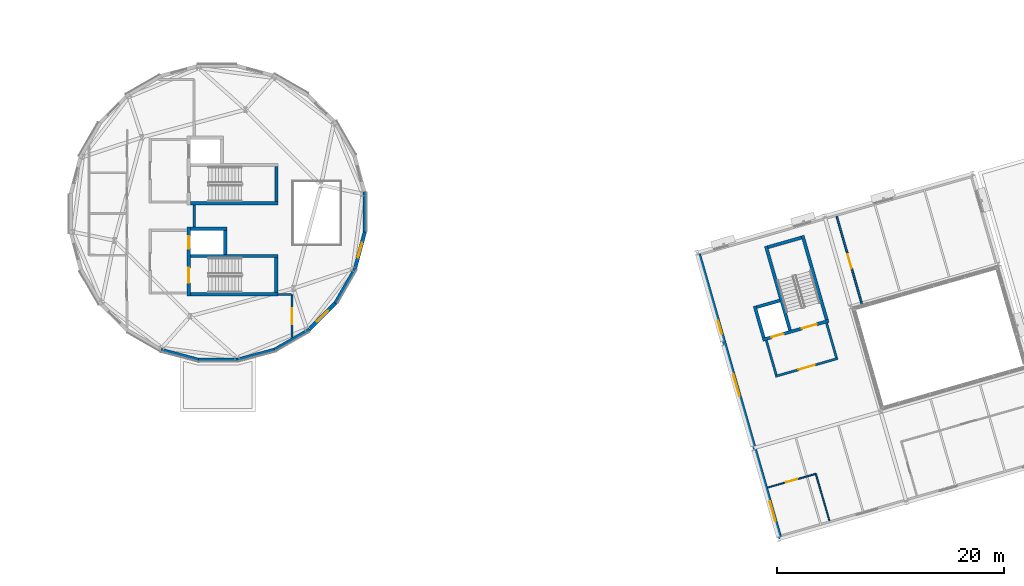
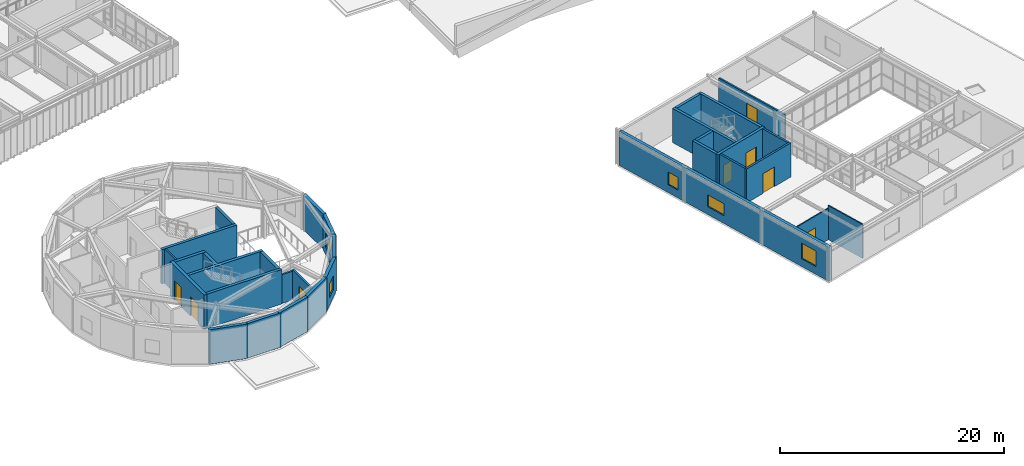
# One storey, part 28 of 44: 32 walls, 8 doors, 5 windows, 13 openings.
"""IFC4 building model written with IfcOpenShell, lengths in metres."""

from ifc_helpers import new_model, si_unit, direction, frame, frame_2d, origin, place, context, subcontext, project, spatial, rectangle, extrude, material, layer, layer_set, type_object, element, fill, save


model = new_model("IFC4")

# Units and contexts
model_context = context("Model", 3, precision=1e-05, world=origin(), true_north=direction((0.0, 1.0)))
body_context = subcontext(model_context, "Body", "Model", "MODEL_VIEW")
ifc_project = project(units=[si_unit("LENGTHUNIT", "METRE"), si_unit("AREAUNIT", "SQUARE_METRE"), si_unit("VOLUMEUNIT", "CUBIC_METRE"), si_unit("PLANEANGLEUNIT", "RADIAN"), si_unit("MASSUNIT", "GRAM", prefix="KILO")], contexts=[model_context])

# Site, building, storey
site_placement = place(None, origin())
site = spatial("IfcSite", under=ifc_project, at=site_placement, CompositionType="ELEMENT")
building_placement = place(site_placement, origin())
building = spatial("IfcBuilding", under=site, at=building_placement, Name="Varnklinge Art Gallery", CompositionType="ELEMENT")
storey_placement = place(building_placement, frame((0.0, 0.0, 13.679931640625)))
storey = spatial("IfcBuildingStorey", under=building, at=storey_placement, Name="L03", CompositionType="ELEMENT", Elevation=13.679931640625)

# Wall
ifc_material_1 = material(Name="Precast concrete C40/50", Category="concrete")
ifc_layer_1 = layer(ifc_material_1, 0.320068359375)
ifc_layer_set_1 = layer_set([ifc_layer_1], Name="Precast concrete C40/50")
wall_type_1 = type_object("IfcWallType", Name="EW-32", PredefinedType="SOLIDWALL", material=ifc_layer_set_1)
wall_1_placement = place(storey_placement, frame((88.427001953125, 40.36181640625, 0.0), z_axis=(0.0, 0.0, 1.0), x_axis=(0.0, -1.0, 0.0)))
element("IfcWall", 1, at=wall_1_placement, inside=storey, type_object=wall_type_1, Name="L03 Exterior Wall EW-V4D-L03-01", PredefinedType="SOLIDWALL", context=body_context, shape_type="SweptSolid", body=[
    extrude(rectangle(XDim=3.563720703125, YDim=0.320068359375, at=frame_2d((1.78173828125, 0.0))), origin(), (0.0, 0.0, 1.0), 3.760009765625),
])

# Wall, opening, window
wall_2_placement = place(storey_placement, frame((88.468505859375, 36.95263671875, 0.0), z_axis=(0.0, 0.0, 1.0), x_axis=(-0.258830827966, -0.965922669003, 0.0)))
wall_2 = element("IfcWall", 2, at=wall_2_placement, inside=storey, type_object=wall_type_1, Name="L03 Exterior Wall EW-V4D-L03-02", PredefinedType="SOLIDWALL", context=body_context, shape_type="SweptSolid", body=[
    extrude(rectangle(XDim=3.5634765625, YDim=0.320068359375, at=frame_2d((1.78173828125, 0.0))), origin(), (0.0, 0.0, 1.0), 3.760009765625),
])
opening_1_placement = place(wall_2_placement, frame((1.10693359375, 0.0, 0.85009765625)))
opening_1 = element("IfcOpeningElement", 3, at=opening_1_placement, cuts=wall_2, Name="Opening WN-02", PredefinedType="OPENING", context=body_context, shape_type="SweptSolid", body=[
    extrude(rectangle(XDim=1.35009765625, YDim=1.5, at=frame_2d((0.675048828125, 0.75))), frame((0.0, 0.170166015625, 0.0), z_axis=(0.0, -1.0, 0.0), x_axis=(1.0, 0.0, 0.0)), (0.0, 0.0, 1.0), 0.340087890625),
])
ifc_material_2 = material(Name="Insulated Low-E Triple Glazing", Category="glass")
window_type_1 = type_object("IfcWindowType", Name="WN-02", PartitioningType="SINGLE_PANEL", PredefinedType="WINDOW", material=ifc_material_2)
window_1_placement = place(opening_1_placement, origin())
window_1 = element("IfcWindow", 4, at=window_1_placement, inside=storey, type_object=window_type_1, Name="L03 Window WIN-L03-096", OverallHeight=1.5, OverallWidth=1.35009765625, PartitioningType="SINGLE_PANEL", PredefinedType="WINDOW", context=body_context, shape_type="SweptSolid", body=[
    extrude(rectangle(XDim=1.35009765625, YDim=1.5, at=frame_2d((0.675048828125, 0.75))), frame((0.0, 0.030029296875, 0.0), z_axis=(0.0, -1.0, 0.0), x_axis=(1.0, 0.0, 0.0)), (0.0, 0.0, 1.0), 0.06005859375),
])
fill(opening_1, window_1)

# Wall
wall_3_placement = place(storey_placement, frame((87.626220703125, 33.64892578125, 0.0), z_axis=(0.0, 0.0, 1.0), x_axis=(-0.500007084799, -0.866021313335, 0.0)))
element("IfcWall", 5, at=wall_3_placement, inside=storey, type_object=wall_type_1, Name="L03 Exterior Wall EW-V4D-L03-03", PredefinedType="SOLIDWALL", context=body_context, shape_type="SweptSolid", body=[
    extrude(rectangle(XDim=3.56396484375, YDim=0.320068359375, at=frame_2d((1.781982421875, 0.0))), origin(), (0.0, 0.0, 1.0), 3.760009765625),
])

# Wall, opening, window
wall_4_placement = place(storey_placement, frame((85.95751953125, 30.675537109375, 0.0), z_axis=(0.0, 0.0, 1.0), x_axis=(-0.707141034428, -0.707072526286, 0.0)))
wall_4 = element("IfcWall", 6, at=wall_4_placement, inside=storey, type_object=wall_type_1, Name="L03 Exterior Wall EW-V4D-L03-04", PredefinedType="SOLIDWALL", context=body_context, shape_type="SweptSolid", body=[
    extrude(rectangle(XDim=3.563720703125, YDim=0.320068359375, at=frame_2d((1.78173828125, 0.0))), origin(), (0.0, 0.0, 1.0), 3.760009765625),
])
opening_2_placement = place(wall_4_placement, frame((1.106689453125, 0.0, 0.85009765625)))
opening_2 = element("IfcOpeningElement", 7, at=opening_2_placement, cuts=wall_4, Name="Opening WN-02", PredefinedType="OPENING", context=body_context, shape_type="SweptSolid", body=[
    extrude(rectangle(XDim=1.35009765625, YDim=1.5, at=frame_2d((0.675048828125, 0.75))), frame((0.0, 0.170166015625, 0.0), z_axis=(0.0, -1.0, 0.0), x_axis=(1.0, 0.0, 0.0)), (0.0, 0.0, 1.0), 0.340087890625),
])
window_2_placement = place(opening_2_placement, origin())
window_2 = element("IfcWindow", 8, at=window_2_placement, inside=storey, type_object=window_type_1, Name="L03 Window WIN-L03-097", OverallHeight=1.5, OverallWidth=1.35009765625, PartitioningType="SINGLE_PANEL", PredefinedType="WINDOW", context=body_context, shape_type="SweptSolid", body=[
    extrude(rectangle(XDim=1.35009765625, YDim=1.5, at=frame_2d((0.675048828125, 0.75))), frame((0.0, 0.030029296875, 0.0), z_axis=(0.0, -1.0, 0.0), x_axis=(1.0, 0.0, 0.0)), (0.0, 0.0, 1.0), 0.06005859375),
])
fill(opening_2, window_2)

# Walls
wall_5_placement = place(storey_placement, frame((83.576171875, 28.235595703125, 0.0), z_axis=(0.0, 0.0, 1.0), x_axis=(-0.8660680979, -0.499926044331, 0.0)))
element("IfcWall", 9, at=wall_5_placement, inside=storey, type_object=wall_type_1, Name="L03 Exterior Wall EW-V4D-L03-05", PredefinedType="SOLIDWALL", context=body_context, shape_type="SweptSolid", body=[
    extrude(rectangle(XDim=3.56396484375, YDim=0.320068359375, at=frame_2d((1.781982421875, 0.0))), origin(), (0.0, 0.0, 1.0), 3.760009765625),
])
wall_6_placement = place(storey_placement, frame((80.64404296875, 26.495361328125, 0.0), z_axis=(0.0, 0.0, 1.0), x_axis=(-0.965922669003, -0.258830827966, 0.0)))
element("IfcWall", 10, at=wall_6_placement, inside=storey, type_object=wall_type_1, Name="L03 Exterior Wall EW-V4D-L03-06", PredefinedType="SOLIDWALL", context=body_context, shape_type="SweptSolid", body=[
    extrude(rectangle(XDim=3.5634765625, YDim=0.320068359375, at=frame_2d((1.78173828125, 0.0))), origin(), (0.0, 0.0, 1.0), 3.760009765625),
])
wall_7_placement = place(storey_placement, frame((77.36181640625, 25.572998046875, 0.0), z_axis=(0.0, 0.0, 1.0), x_axis=(-1.0, 0.0, 0.0)))
element("IfcWall", 11, at=wall_7_placement, inside=storey, type_object=wall_type_1, Name="L03 Exterior Wall EW-V4D-L03-07", PredefinedType="SOLIDWALL", context=body_context, shape_type="SweptSolid", body=[
    extrude(rectangle(XDim=3.563720703125, YDim=0.320068359375, at=frame_2d((1.78173828125, 0.0))), origin(), (0.0, 0.0, 1.0), 3.760009765625),
])
wall_8_placement = place(storey_placement, frame((73.95263671875, 25.531494140625, 0.0), z_axis=(0.0, 0.0, 1.0), x_axis=(-0.965922669003, 0.258830827966, 0.0)))
element("IfcWall", 12, at=wall_8_placement, inside=storey, type_object=wall_type_1, Name="L03 Exterior Wall EW-V4D-L03-08", PredefinedType="SOLIDWALL", context=body_context, shape_type="SweptSolid", body=[
    extrude(rectangle(XDim=3.5634765625, YDim=0.320068359375, at=frame_2d((1.78173828125, 0.0))), origin(), (0.0, 0.0, 1.0), 3.760009765625),
])

# Wall, openings, windows
wall_9_placement = place(storey_placement, frame((124.981201171875, 9.852294921875, 0.0), z_axis=(0.0, 0.0, 1.0), x_axis=(-0.275633622707, 0.961262766383, 0.0)))
wall_9 = element("IfcWall", 13, at=wall_9_placement, inside=storey, type_object=wall_type_1, Name="L03 Exterior Wall EW-V6-L03-01", PredefinedType="SOLIDWALL", context=body_context, shape_type="SweptSolid", body=[
    extrude(rectangle(XDim=26.0400390625, YDim=0.320068359375, at=frame_2d((13.02001953125, 0.0))), origin(), (0.0, 0.0, 1.0), 3.719970703125),
])
opening_3_placement = place(wall_9_placement, frame((1.60009765625, 0.0, 0.85009765625)))
opening_3 = element("IfcOpeningElement", 14, at=opening_3_placement, cuts=wall_9, Name="Opening WN-11", PredefinedType="OPENING", context=body_context, shape_type="SweptSolid", body=[
    extrude(rectangle(XDim=1.800048828125, YDim=1.699951171875, at=frame_2d((0.89990234375, 0.85009765625))), frame((0.0, 0.170166015625, 0.0), z_axis=(0.0, -1.0, 0.0), x_axis=(1.0, 0.0, 0.0)), (0.0, 0.0, 1.0), 0.340087890625),
])
opening_4_placement = place(wall_9_placement, frame((13.02001953125, 0.0, 0.85009765625)))
opening_4 = element("IfcOpeningElement", 15, at=opening_4_placement, cuts=wall_9, Name="Opening WN-18", PredefinedType="OPENING", context=body_context, shape_type="SweptSolid", body=[
    extrude(rectangle(XDim=2.0, YDim=1.300048828125, at=frame_2d((1.0, 0.64990234375))), frame((0.0, 0.170166015625, 0.0), z_axis=(0.0, -1.0, 0.0), x_axis=(1.0, 0.0, 0.0)), (0.0, 0.0, 1.0), 0.340087890625),
])
opening_5_placement = place(wall_9_placement, frame((18.72998046875, 0.0, 0.85009765625)))
opening_5 = element("IfcOpeningElement", 16, at=opening_5_placement, cuts=wall_9, Name="Opening WN-21", PredefinedType="OPENING", context=body_context, shape_type="SweptSolid", body=[
    extrude(rectangle(XDim=1.199951171875, YDim=1.39990234375, at=frame_2d((0.60009765625, 0.699951171875))), frame((0.0, 0.170166015625, 0.0), z_axis=(0.0, -1.0, 0.0), x_axis=(1.0, 0.0, 0.0)), (0.0, 0.0, 1.0), 0.340087890625),
])
ifc_material_3 = material(Name="Insulated Low-E Triple Glazing", Category="glass")
window_type_2 = type_object("IfcWindowType", Name="WN-11", PartitioningType="SINGLE_PANEL", PredefinedType="WINDOW", material=ifc_material_3)
window_3_placement = place(opening_3_placement, origin())
window_3 = element("IfcWindow", 17, at=window_3_placement, inside=storey, type_object=window_type_2, Name="L03 Window WIN-L03-188", OverallHeight=1.699951171875, OverallWidth=1.800048828125, PartitioningType="SINGLE_PANEL", PredefinedType="WINDOW", context=body_context, shape_type="SweptSolid", body=[
    extrude(rectangle(XDim=1.800048828125, YDim=1.699951171875, at=frame_2d((0.89990234375, 0.85009765625))), frame((0.0, 0.030029296875, 0.0), z_axis=(0.0, -1.0, 0.0), x_axis=(1.0, 0.0, 0.0)), (0.0, 0.0, 1.0), 0.06005859375),
])
fill(opening_3, window_3)
ifc_material_4 = material(Name="Insulated Low-E Triple Glazing", Category="glass")
window_type_3 = type_object("IfcWindowType", Name="WN-18", PartitioningType="SINGLE_PANEL", PredefinedType="WINDOW", material=ifc_material_4)
window_4_placement = place(opening_4_placement, origin())
window_4 = element("IfcWindow", 18, at=window_4_placement, inside=storey, type_object=window_type_3, Name="L03 Window WIN-L03-189", OverallHeight=1.300048828125, OverallWidth=2.0, PartitioningType="SINGLE_PANEL", PredefinedType="WINDOW", context=body_context, shape_type="SweptSolid", body=[
    extrude(rectangle(XDim=2.0, YDim=1.300048828125, at=frame_2d((1.0, 0.64990234375))), frame((0.0, 0.030029296875, 0.0), z_axis=(0.0, -1.0, 0.0), x_axis=(1.0, 0.0, 0.0)), (0.0, 0.0, 1.0), 0.06005859375),
])
fill(opening_4, window_4)
ifc_material_5 = material(Name="Insulated Low-E Triple Glazing", Category="glass")
window_type_4 = type_object("IfcWindowType", Name="WN-21", PartitioningType="SINGLE_PANEL", PredefinedType="WINDOW", material=ifc_material_5)
window_5_placement = place(opening_5_placement, origin())
window_5 = element("IfcWindow", 19, at=window_5_placement, inside=storey, type_object=window_type_4, Name="L03 Window WIN-L03-190", OverallHeight=1.39990234375, OverallWidth=1.199951171875, PartitioningType="SINGLE_PANEL", PredefinedType="WINDOW", context=body_context, shape_type="SweptSolid", body=[
    extrude(rectangle(XDim=1.199951171875, YDim=1.39990234375, at=frame_2d((0.60009765625, 0.699951171875))), frame((0.0, 0.030029296875, 0.0), z_axis=(0.0, -1.0, 0.0), x_axis=(1.0, 0.0, 0.0)), (0.0, 0.0, 1.0), 0.06005859375),
])
fill(opening_5, window_5)

# Wall, opening, door
ifc_material_6 = material(Name="Gypsum Board Partition", Category="gypsum")
ifc_layer_2 = layer(ifc_material_6, 0.1201171875)
ifc_layer_set_2 = layer_set([ifc_layer_2], Name="Gypsum Board Partition")
wall_type_2 = type_object("IfcWallType", Name="IW-12", PredefinedType="PARTITIONING", material=ifc_layer_set_2)
wall_10_placement = place(storey_placement, frame((123.86279296875, 14.34814453125, 0.0), z_axis=(0.0, 0.0, 1.0), x_axis=(0.961808373757, 0.273723678498, 0.0)))
wall_10 = element("IfcWall", 20, at=wall_10_placement, inside=storey, type_object=wall_type_2, Name="L03 Partition Wall IW-L03-0346", PredefinedType="PARTITIONING", context=body_context, shape_type="SweptSolid", body=[
    extrude(rectangle(XDim=4.397216796875, YDim=0.1201171875, at=frame_2d((2.19873046875, 0.0))), origin(), (0.0, 0.0, 1.0), 3.400146484375),
])
opening_6_placement = place(wall_10_placement, frame((1.688720703125, 0.0, 0.0)))
opening_6 = element("IfcOpeningElement", 21, at=opening_6_placement, cuts=wall_10, Name="Opening D-L03-260", PredefinedType="OPENING", context=body_context, shape_type="SweptSolid", body=[
    extrude(rectangle(XDim=1.02001953125, YDim=2.1201171875, at=frame_2d((0.510009765625, 1.06005859375))), frame((0.0, 0.070068359375, 0.0), z_axis=(0.0, -1.0, 0.0), x_axis=(1.0, 0.0, 0.0)), (0.0, 0.0, 1.0), 0.14013671875),
])
ifc_material_7 = material(Name="Oak Timber Leaf", Category="wood")
door_type_1 = type_object("IfcDoorType", Name="ID-03", OperationType="SINGLE_SWING_LEFT", PredefinedType="DOOR", material=ifc_material_7)
door_1_placement = place(opening_6_placement, origin())
door_1 = element("IfcDoor", 22, at=door_1_placement, inside=storey, type_object=door_type_1, Name="L03 L03 Accessible WC Studios Door D-L03-260", OperationType="SINGLE_SWING_RIGHT", OverallHeight=2.1201171875, OverallWidth=1.02001953125, PredefinedType="DOOR", context=body_context, shape_type="SweptSolid", body=[
    extrude(rectangle(XDim=1.02001953125, YDim=2.1201171875, at=frame_2d((0.510009765625, 1.06005859375))), frame((0.0, 0.02490234375, 0.0), z_axis=(0.0, -1.0, 0.0), x_axis=(1.0, 0.0, 0.0)), (0.0, 0.0, 1.0), 0.050048828125),
])
fill(opening_6, door_1)

# Wall
wall_11_placement = place(storey_placement, frame((128.092041015625, 15.5517578125, 0.0), z_axis=(0.0, 0.0, 1.0), x_axis=(0.277586262632, -0.960700716559, 0.0)))
element("IfcWall", 23, at=wall_11_placement, inside=storey, type_object=wall_type_2, Name="L03 Partition Wall IW-L03-0347", PredefinedType="PARTITIONING", context=body_context, shape_type="SweptSolid", body=[
    extrude(rectangle(XDim=4.29736328125, YDim=0.1201171875, at=frame_2d((2.148681640625, 0.0))), origin(), (0.0, 0.0, 1.0), 3.7099609375),
])

# Wall, opening, door
ifc_material_8 = material(Name="Gypsum Board Partition", Category="gypsum")
ifc_layer_3 = layer(ifc_material_8, 0.159912109375)
ifc_layer_set_3 = layer_set([ifc_layer_3], Name="Gypsum Board Partition")
wall_type_3 = type_object("IfcWallType", Name="IW-16", PredefinedType="PARTITIONING", material=ifc_layer_set_3)
wall_12_placement = place(storey_placement, frame((129.931884765625, 38.190673828125, 0.0), z_axis=(0.0, 0.0, 1.0), x_axis=(0.27565391145, -0.961256948533, 0.0)))
wall_12 = element("IfcWall", 24, at=wall_12_placement, inside=storey, type_object=wall_type_3, Name="L03 Partition Wall IW-L03-0348", PredefinedType="PARTITIONING", context=body_context, shape_type="SweptSolid", body=[
    extrude(rectangle(XDim=8.22607421875, YDim=0.159912109375, at=frame_2d((4.113037109375, 0.0))), origin(), (0.0, 0.0, 1.0), 3.2099609375),
])
opening_7_placement = place(wall_12_placement, frame((3.462890625, 0.0, 0.0)))
opening_7 = element("IfcOpeningElement", 25, at=opening_7_placement, cuts=wall_12, Name="Opening D-L03-261", PredefinedType="OPENING", context=body_context, shape_type="SweptSolid", body=[
    extrude(rectangle(XDim=1.300048828125, YDim=2.14990234375, at=frame_2d((0.64990234375, 1.074951171875))), frame((0.0, 0.090087890625, 0.0), z_axis=(0.0, -1.0, 0.0), x_axis=(1.0, 0.0, 0.0)), (0.0, 0.0, 1.0), 0.179931640625),
])
ifc_material_9 = material(Name="Oak Timber Leaf", Category="wood")
door_type_2 = type_object("IfcDoorType", Name="ID-11", OperationType="SINGLE_SWING_LEFT", PredefinedType="DOOR", material=ifc_material_9)
door_2_placement = place(opening_7_placement, origin())
door_2 = element("IfcDoor", 26, at=door_2_placement, inside=storey, type_object=door_type_2, Name="L03 L03 Artists Studio 5 Door D-L03-261", OperationType="SINGLE_SWING_LEFT", OverallHeight=2.14990234375, OverallWidth=1.300048828125, PredefinedType="DOOR", context=body_context, shape_type="SweptSolid", body=[
    extrude(rectangle(XDim=1.300048828125, YDim=2.14990234375, at=frame_2d((0.64990234375, 1.074951171875))), frame((0.0, 0.02490234375, 0.0), z_axis=(0.0, -1.0, 0.0), x_axis=(1.0, 0.0, 0.0)), (0.0, 0.0, 1.0), 0.050048828125),
])
fill(opening_7, door_2)

# Wall
ifc_material_10 = material(Name="Gypsum Board Partition", Category="gypsum")
ifc_layer_4 = layer(ifc_material_10, 0.179931640625)
ifc_layer_set_4 = layer_set([ifc_layer_4], Name="Gypsum Board Partition")
wall_type_4 = type_object("IfcWallType", Name="IW-18", PredefinedType="PARTITIONING", material=ifc_layer_set_4)
wall_13_placement = place(storey_placement, frame((80.800048828125, 31.330078125, 0.0), z_axis=(0.0, 0.0, 1.0), x_axis=(1.0, 0.0, 0.0)))
element("IfcWall", 27, at=wall_13_placement, inside=storey, type_object=wall_type_4, Name="L03 Partition Wall IW-L03-0337", PredefinedType="PARTITIONING", context=body_context, shape_type="SweptSolid", body=[
    extrude(rectangle(XDim=1.199951171875, YDim=0.179931640625, at=frame_2d((0.60009765625, 0.0))), origin(), (0.0, 0.0, 1.0), 3.150146484375),
])

# Wall, opening, door
wall_14_placement = place(storey_placement, frame((82.02880859375, 31.30859375, 0.0), z_axis=(0.0, 0.0, 1.0), x_axis=(0.000323268878, -0.999999947749, 0.0)))
wall_14 = element("IfcWall", 28, at=wall_14_placement, inside=storey, type_object=wall_type_4, Name="L03 Partition Wall IW-L03-0338", PredefinedType="PARTITIONING", context=body_context, shape_type="SweptSolid", body=[
    extrude(rectangle(XDim=3.776123046875, YDim=0.179931640625, at=frame_2d((1.88818359375, 0.0))), origin(), (0.0, 0.0, 1.0), 3.300048828125),
])
opening_8_placement = place(wall_14_placement, frame((1.177978515625, 0.0, 0.0)))
opening_8 = element("IfcOpeningElement", 29, at=opening_8_placement, cuts=wall_14, Name="Opening D-L03-255", PredefinedType="OPENING", context=body_context, shape_type="SweptSolid", body=[
    extrude(rectangle(XDim=1.419921875, YDim=2.179931640625, at=frame_2d((0.7099609375, 1.08984375))), frame((0.0, 0.099853515625, 0.0), z_axis=(0.0, -1.0, 0.0), x_axis=(1.0, 0.0, 0.0)), (0.0, 0.0, 1.0), 0.199951171875),
])
ifc_material_11 = material(Name="Oak Timber Leaf", Category="wood")
door_type_3 = type_object("IfcDoorType", Name="ID-07", OperationType="DOUBLE_DOOR_SINGLE_SWING", PredefinedType="DOOR", material=ifc_material_11)
door_3_placement = place(opening_8_placement, origin())
door_3 = element("IfcDoor", 30, at=door_3_placement, inside=storey, type_object=door_type_3, Name="L03 L03 Drum Monograph Exhibition Gallery Door D-L03-255", OperationType="DOUBLE_DOOR_SINGLE_SWING", OverallHeight=2.179931640625, OverallWidth=1.419921875, PredefinedType="DOOR", context=body_context, shape_type="SweptSolid", body=[
    extrude(rectangle(XDim=1.419921875, YDim=2.179931640625, at=frame_2d((0.7099609375, 1.08984375))), frame((0.0, 0.02490234375, 0.0), z_axis=(0.0, -1.0, 0.0), x_axis=(1.0, 0.0, 0.0)), (0.0, 0.0, 1.0), 0.050048828125),
])
fill(opening_8, door_3)

# Walls
wall_15_placement = place(storey_placement, frame((73.429931640625, 39.2060546875, 0.0), z_axis=(0.0, 0.0, 1.0), x_axis=(0.0, -1.0, 0.0)))
element("IfcWall", 31, at=wall_15_placement, inside=storey, type_object=wall_type_4, Name="L03 Partition Wall IW-L03-0341", PredefinedType="PARTITIONING", context=body_context, shape_type="SweptSolid", body=[
    extrude(rectangle(XDim=1.942138671875, YDim=0.179931640625, at=frame_2d((0.97119140625, 0.0))), origin(), (0.0, 0.0, 1.0), 3.75),
])
ifc_material_12 = material(Name="Concrete C40/50", Category="concrete")
ifc_layer_5 = layer(ifc_material_12, 0.199951171875)
ifc_layer_set_5 = layer_set([ifc_layer_5], Name="Concrete C40/50")
wall_type_5 = type_object("IfcWallType", Name="IW-20", PredefinedType="PARTITIONING", material=ifc_layer_set_5)
for number, where, z_axis, x_axis, name in (
    (32, (129.902587890625, 25.767578125, 0.0), (0.0, 0.0, 1.0), (-0.275601331974, 0.961272024879, 0.0), "L03 Core C5 Lobby South Wall"),
    (33, (123.73779296875, 27.27685546875, 0.0), (0.0, 0.0, 1.0), (0.275672946026, -0.961251489897, 0.0), "L03 Core C5 Lobby North Wall"),
):
    element("IfcWall", number, at=place(storey_placement, frame(where, z_axis=z_axis, x_axis=x_axis)), inside=storey, type_object=wall_type_5, Name=name, PredefinedType="PARTITIONING", context=body_context, shape_type="SweptSolid", body=[
        extrude(rectangle(XDim=3.150146484375, YDim=0.199951171875, at=frame_2d((1.5751953125, 0.0))), origin(), (0.0, 0.0, 1.0), 3.719970703125),
    ])

# Wall, opening, door
wall_16_placement = place(storey_placement, frame((130.0263671875, 25.69921875, 0.0), z_axis=(0.0, 0.0, 1.0), x_axis=(-0.961257274888, -0.275652773383, 0.0)))
wall_16 = element("IfcWall", 34, at=wall_16_placement, inside=storey, type_object=wall_type_5, Name="L03 Core C5 Lobby Corridor Wall", PredefinedType="PARTITIONING", context=body_context, shape_type="SweptSolid", body=[
    extrude(rectangle(XDim=5.7099609375, YDim=0.199951171875, at=frame_2d((2.85498046875, 0.0))), origin(), (0.0, 0.0, 1.0), 3.719970703125),
])
opening_9_placement = place(wall_16_placement, frame((2.114990234375, 0.0, 0.0)))
opening_9 = element("IfcOpeningElement", 35, at=opening_9_placement, cuts=wall_16, Name="Opening D-L03-084", PredefinedType="OPENING", context=body_context, shape_type="SweptSolid", body=[
    extrude(rectangle(XDim=1.47998046875, YDim=2.14990234375, at=frame_2d((0.739990234375, 1.074951171875))), frame((0.0, 0.110107421875, 0.0), z_axis=(0.0, -1.0, 0.0), x_axis=(1.0, 0.0, 0.0)), (0.0, 0.0, 1.0), 0.219970703125),
])
ifc_material_13 = material(Name="Galvanised Fire-Rated Steel", Category="steel")
door_type_4 = type_object("IfcDoorType", Name="ID-LB1", OperationType="DOUBLE_DOOR_SINGLE_SWING", PredefinedType="DOOR", material=ifc_material_13)
door_4_placement = place(opening_9_placement, origin())
door_4 = element("IfcDoor", 36, at=door_4_placement, inside=storey, type_object=door_type_4, Name="L03 Core C5 Protected Lobby Door D-L03-084", OperationType="DOUBLE_DOOR_SINGLE_SWING", OverallHeight=2.14990234375, OverallWidth=1.47998046875, PredefinedType="DOOR", context=body_context, shape_type="SweptSolid", body=[
    extrude(rectangle(XDim=1.47998046875, YDim=2.14990234375, at=frame_2d((0.739990234375, 1.074951171875))), frame((0.0, 0.02490234375, 0.0), z_axis=(0.0, -1.0, 0.0), x_axis=(1.0, 0.0, 0.0)), (0.0, 0.0, 1.0), 0.050048828125),
])
fill(opening_9, door_4)

# Walls
ifc_material_14 = material(Name="Concrete C40/50", Category="concrete")
ifc_layer_6 = layer(ifc_material_14, 0.280029296875)
ifc_layer_set_6 = layer_set([ifc_layer_6], Name="Concrete C40/50")
wall_type_6 = type_object("IfcWallType", Name="SW-28", PredefinedType="SHEAR", material=ifc_layer_set_6)
wall_17_placement = place(storey_placement, frame((73.090087890625, 39.35009765625, 0.0), z_axis=(0.0, 0.0, 1.0), x_axis=(1.0, 0.0, 0.0)))
element("IfcWall", 37, at=wall_17_placement, inside=storey, type_object=wall_type_6, Name="L03 Core C2 South Shear Wall", PredefinedType="SHEAR", context=body_context, shape_type="SweptSolid", body=[
    extrude(rectangle(XDim=7.699951171875, YDim=0.280029296875, at=frame_2d((3.85009765625, 0.0))), origin(), (0.0, 0.0, 1.0), 3.760009765625),
])
wall_18_placement = place(storey_placement, frame((80.64990234375, 39.489990234375, 0.0), z_axis=(0.0, 0.0, 1.0), x_axis=(0.0, 1.0, 0.0)))
element("IfcWall", 38, at=wall_18_placement, inside=storey, type_object=wall_type_6, Name="L03 Core C2 East Shear Wall", PredefinedType="SHEAR", context=body_context, shape_type="SweptSolid", body=[
    extrude(rectangle(XDim=3.080078125, YDim=0.280029296875, at=frame_2d((1.5400390625, 0.0))), origin(), (0.0, 0.0, 1.0), 3.760009765625),
])
wall_19_placement = place(storey_placement, frame((129.050537109375, 29.10205078125, 0.0), z_axis=(0.0, 0.0, 1.0), x_axis=(-0.275629742399, 0.961263879018, 0.0)))
element("IfcWall", 39, at=wall_19_placement, inside=storey, type_object=wall_type_6, Name="L03 Core C5 South Shear Wall", PredefinedType="SHEAR", context=body_context, shape_type="SweptSolid", body=[
    extrude(rectangle(XDim=7.699951171875, YDim=0.280029296875, at=frame_2d((3.85009765625, 0.0))), origin(), (0.0, 0.0, 1.0), 3.719970703125),
])
wall_20_placement = place(storey_placement, frame((126.832275390625, 36.33056640625, 0.0), z_axis=(0.0, 0.0, 1.0), x_axis=(-0.961269283639, -0.275610892984, 0.0)))
element("IfcWall", 40, at=wall_20_placement, inside=storey, type_object=wall_type_6, Name="L03 Core C5 East Shear Wall", PredefinedType="SHEAR", context=body_context, shape_type="SweptSolid", body=[
    extrude(rectangle(XDim=3.080078125, YDim=0.280029296875, at=frame_2d((1.5400390625, 0.0))), origin(), (0.0, 0.0, 1.0), 3.719970703125),
])
wall_21_placement = place(storey_placement, frame((123.6982421875, 35.57763671875, 0.0), z_axis=(0.0, 0.0, 1.0), x_axis=(0.275650638876, -0.961257886983, 0.0)))
element("IfcWall", 41, at=wall_21_placement, inside=storey, type_object=wall_type_6, Name="L03 Core C5 Dividing Shear Wall", PredefinedType="SHEAR", context=body_context, shape_type="SweptSolid", body=[
    extrude(rectangle(XDim=7.7001953125, YDim=0.280029296875, at=frame_2d((3.85009765625, 0.0))), origin(), (0.0, 0.0, 1.0), 3.719970703125),
])
wall_22_placement = place(storey_placement, frame((124.92529296875, 30.790283203125, 0.0), z_axis=(0.0, 0.0, 1.0), x_axis=(-0.96127584502, -0.275588007324, 0.0)))
element("IfcWall", 42, at=wall_22_placement, inside=storey, type_object=wall_type_6, Name="L03 Core C5 Lift East Shear Wall", PredefinedType="SHEAR", context=body_context, shape_type="SweptSolid", body=[
    extrude(rectangle(XDim=2.119873046875, YDim=0.280029296875, at=frame_2d((1.06005859375, 0.0))), origin(), (0.0, 0.0, 1.0), 3.719970703125),
])
wall_23_placement = place(storey_placement, frame((122.71435546875, 30.302001953125, 0.0), z_axis=(0.0, 0.0, 1.0), x_axis=(0.275632780503, -0.961263007877, 0.0)))
element("IfcWall", 43, at=wall_23_placement, inside=storey, type_object=wall_type_6, Name="L03 Core C5 Lift North Shear Wall", PredefinedType="SHEAR", context=body_context, shape_type="SweptSolid", body=[
    extrude(rectangle(XDim=2.89990234375, YDim=0.280029296875, at=frame_2d((1.449951171875, 0.0))), origin(), (0.0, 0.0, 1.0), 3.719970703125),
])

# Wall, openings, doors
wall_24_placement = place(storey_placement, frame((123.417724609375, 27.341064453125, 0.0), z_axis=(0.0, 0.0, 1.0), x_axis=(0.961255042521, 0.275660557985, 0.0)))
wall_24 = element("IfcWall", 44, at=wall_24_placement, inside=storey, type_object=wall_type_6, Name="L03 Core C5 Front Shear Wall", PredefinedType="SHEAR", context=body_context, shape_type="SweptSolid", body=[
    extrude(rectangle(XDim=6.040283203125, YDim=0.280029296875, at=frame_2d((3.02001953125, 0.0))), origin(), (0.0, 0.0, 1.0), 3.719970703125),
])
opening_10_placement = place(wall_24_placement, frame((0.800048828125, 0.0, 0.0)))
opening_10 = element("IfcOpeningElement", 45, at=opening_10_placement, cuts=wall_24, Name="Opening LD-L03-082", PredefinedType="OPENING", context=body_context, shape_type="SweptSolid", body=[
    extrude(rectangle(XDim=1.10009765625, YDim=2.1201171875, at=frame_2d((0.550048828125, 1.06005859375))), frame((0.0, 0.150146484375, 0.0), z_axis=(0.0, -1.0, 0.0), x_axis=(1.0, 0.0, 0.0)), (0.0, 0.0, 1.0), 0.300048828125),
])
opening_11_placement = place(wall_24_placement, frame((3.60009765625, 0.0, 0.0)))
opening_11 = element("IfcOpeningElement", 46, at=opening_11_placement, cuts=wall_24, Name="Opening D-L03-083", PredefinedType="OPENING", context=body_context, shape_type="SweptSolid", body=[
    extrude(rectangle(XDim=1.320068359375, YDim=2.1201171875, at=frame_2d((0.66015625, 1.06005859375))), frame((0.0, 0.150146484375, 0.0), z_axis=(0.0, -1.0, 0.0), x_axis=(1.0, 0.0, 0.0)), (0.0, 0.0, 1.0), 0.300048828125),
])
ifc_material_15 = material(Name="Galvanised Fire-Rated Steel", Category="steel")
door_type_5 = type_object("IfcDoorType", Name="ID-ST1", OperationType="SINGLE_SWING_LEFT", PredefinedType="DOOR", material=ifc_material_15)
door_5_placement = place(opening_11_placement, origin())
door_5 = element("IfcDoor", 47, at=door_5_placement, inside=storey, type_object=door_type_5, Name="L03 Stair ST-05 Fire Door D-L03-083", OperationType="SINGLE_SWING_LEFT", OverallHeight=2.1201171875, OverallWidth=1.320068359375, PredefinedType="DOOR", context=body_context, shape_type="SweptSolid", body=[
    extrude(rectangle(XDim=1.320068359375, YDim=2.1201171875, at=frame_2d((0.66015625, 1.06005859375))), frame((0.0, 0.02490234375, 0.0), z_axis=(0.0, -1.0, 0.0), x_axis=(1.0, 0.0, 0.0)), (0.0, 0.0, 1.0), 0.050048828125),
])
fill(opening_11, door_5)
ifc_material_16 = material(Name="Anodised Aluminium", Category="aluminium")
door_type_6 = type_object("IfcDoorType", Name="LD-PAX", OperationType="SLIDING_TO_LEFT", PredefinedType="DOOR", material=ifc_material_16)
door_6_placement = place(opening_10_placement, origin())
door_6 = element("IfcDoor", 48, at=door_6_placement, inside=storey, type_object=door_type_6, Name="L03 LF-04 Sliding Landing Door LD-L03-082", OperationType="SLIDING_TO_LEFT", OverallHeight=2.1201171875, OverallWidth=1.10009765625, PredefinedType="DOOR", context=body_context, shape_type="SweptSolid", body=[
    extrude(rectangle(XDim=1.10009765625, YDim=2.1201171875, at=frame_2d((0.550048828125, 1.06005859375))), frame((0.0, 0.02490234375, 0.0), z_axis=(0.0, -1.0, 0.0), x_axis=(1.0, 0.0, 0.0)), (0.0, 0.0, 1.0), 0.050048828125),
])
fill(opening_10, door_6)

# Walls
ifc_material_17 = material(Name="Concrete C40/50", Category="concrete")
ifc_layer_7 = layer(ifc_material_17, 0.300048828125)
ifc_layer_set_7 = layer_set([ifc_layer_7], Name="Concrete C40/50")
wall_type_7 = type_object("IfcWallType", Name="SW-30", PredefinedType="SHEAR", material=ifc_layer_set_7)
wall_25_placement = place(storey_placement, frame((73.10009765625, 31.35009765625, 0.0), z_axis=(0.0, 0.0, 1.0), x_axis=(1.0, 0.0, 0.0)))
element("IfcWall", 49, at=wall_25_placement, inside=storey, type_object=wall_type_7, Name="L03 Core C1 South Shear Wall", PredefinedType="SHEAR", context=body_context, shape_type="SweptSolid", body=[
    extrude(rectangle(XDim=7.699951171875, YDim=0.300048828125, at=frame_2d((3.85009765625, 0.0))), origin(), (0.0, 0.0, 1.0), 3.760009765625),
])
wall_26_placement = place(storey_placement, frame((80.64990234375, 31.5, 0.0), z_axis=(0.0, 0.0, 1.0), x_axis=(0.0, 1.0, 0.0)))
element("IfcWall", 50, at=wall_26_placement, inside=storey, type_object=wall_type_7, Name="L03 Core C1 East Shear Wall", PredefinedType="SHEAR", context=body_context, shape_type="SweptSolid", body=[
    extrude(rectangle(XDim=3.06005859375, YDim=0.300048828125, at=frame_2d((1.530029296875, 0.0))), origin(), (0.0, 0.0, 1.0), 3.760009765625),
])
wall_27_placement = place(storey_placement, frame((80.800048828125, 34.7099609375, 0.0), z_axis=(0.0, 0.0, 1.0), x_axis=(-1.0, 0.0, 0.0)))
element("IfcWall", 51, at=wall_27_placement, inside=storey, type_object=wall_type_7, Name="L03 Core C1 Dividing Shear Wall", PredefinedType="SHEAR", context=body_context, shape_type="SweptSolid", body=[
    extrude(rectangle(XDim=7.699951171875, YDim=0.300048828125, at=frame_2d((3.85009765625, 0.0))), origin(), (0.0, 0.0, 1.0), 3.760009765625),
])
wall_28_placement = place(storey_placement, frame((76.14990234375, 34.860107421875, 0.0), z_axis=(0.0, 0.0, 1.0), x_axis=(0.0, 1.0, 0.0)))
element("IfcWall", 52, at=wall_28_placement, inside=storey, type_object=wall_type_7, Name="L03 Core C1 Lift East Shear Wall", PredefinedType="SHEAR", context=body_context, shape_type="SweptSolid", body=[
    extrude(rectangle(XDim=2.099853515625, YDim=0.300048828125, at=frame_2d((1.0498046875, 0.0))), origin(), (0.0, 0.0, 1.0), 3.760009765625),
])
wall_29_placement = place(storey_placement, frame((76.300048828125, 37.110107421875, 0.0), z_axis=(0.0, 0.0, 1.0), x_axis=(-1.0, 0.0, 0.0)))
element("IfcWall", 53, at=wall_29_placement, inside=storey, type_object=wall_type_7, Name="L03 Core C1 Lift North Shear Wall", PredefinedType="SHEAR", context=body_context, shape_type="SweptSolid", body=[
    extrude(rectangle(XDim=3.199951171875, YDim=0.300048828125, at=frame_2d((1.60009765625, 0.0))), origin(), (0.0, 0.0, 1.0), 3.760009765625),
])

# Wall, openings, doors
wall_30_placement = place(storey_placement, frame((72.949951171875, 37.260009765625, 0.0), z_axis=(0.0, 0.0, 1.0), x_axis=(0.0, -1.0, 0.0)))
wall_30 = element("IfcWall", 54, at=wall_30_placement, inside=storey, type_object=wall_type_7, Name="L03 Core C1 Front Shear Wall", PredefinedType="SHEAR", context=body_context, shape_type="SweptSolid", body=[
    extrude(rectangle(XDim=6.06005859375, YDim=0.300048828125, at=frame_2d((3.030029296875, 0.0))), origin(), (0.0, 0.0, 1.0), 3.760009765625),
])
opening_12_placement = place(wall_30_placement, frame((0.800048828125, 0.0, 0.0)))
opening_12 = element("IfcOpeningElement", 55, at=opening_12_placement, cuts=wall_30, Name="Opening LD-L03-013", PredefinedType="OPENING", context=body_context, shape_type="SweptSolid", body=[
    extrude(rectangle(XDim=1.10009765625, YDim=2.1201171875, at=frame_2d((0.550048828125, 1.06005859375))), frame((0.0, 0.159912109375, 0.0), z_axis=(0.0, -1.0, 0.0), x_axis=(1.0, 0.0, 0.0)), (0.0, 0.0, 1.0), 0.320068359375),
])
opening_13_placement = place(wall_30_placement, frame((3.60009765625, 0.0, 0.0)))
opening_13 = element("IfcOpeningElement", 56, at=opening_13_placement, cuts=wall_30, Name="Opening D-L03-014", PredefinedType="OPENING", context=body_context, shape_type="SweptSolid", body=[
    extrude(rectangle(XDim=1.320068359375, YDim=2.1201171875, at=frame_2d((0.66015625, 1.06005859375))), frame((0.0, 0.159912109375, 0.0), z_axis=(0.0, -1.0, 0.0), x_axis=(1.0, 0.0, 0.0)), (0.0, 0.0, 1.0), 0.320068359375),
])
door_7_placement = place(opening_13_placement, origin())
door_7 = element("IfcDoor", 57, at=door_7_placement, inside=storey, type_object=door_type_5, Name="L03 Stair ST-01 Fire Door D-L03-014", OperationType="SINGLE_SWING_LEFT", OverallHeight=2.1201171875, OverallWidth=1.320068359375, PredefinedType="DOOR", context=body_context, shape_type="SweptSolid", body=[
    extrude(rectangle(XDim=1.320068359375, YDim=2.1201171875, at=frame_2d((0.66015625, 1.06005859375))), frame((0.0, 0.02490234375, 0.0), z_axis=(0.0, -1.0, 0.0), x_axis=(1.0, 0.0, 0.0)), (0.0, 0.0, 1.0), 0.050048828125),
])
fill(opening_13, door_7)
door_8_placement = place(opening_12_placement, origin())
door_8 = element("IfcDoor", 58, at=door_8_placement, inside=storey, type_object=door_type_6, Name="L03 LF-01 Sliding Landing Door LD-L03-013", OperationType="SLIDING_TO_LEFT", OverallHeight=2.1201171875, OverallWidth=1.10009765625, PredefinedType="DOOR", context=body_context, shape_type="SweptSolid", body=[
    extrude(rectangle(XDim=1.10009765625, YDim=2.1201171875, at=frame_2d((0.550048828125, 1.06005859375))), frame((0.0, 0.02490234375, 0.0), z_axis=(0.0, -1.0, 0.0), x_axis=(1.0, 0.0, 0.0)), (0.0, 0.0, 1.0), 0.050048828125),
])
fill(opening_12, door_8)

save(model, "model.ifc")
